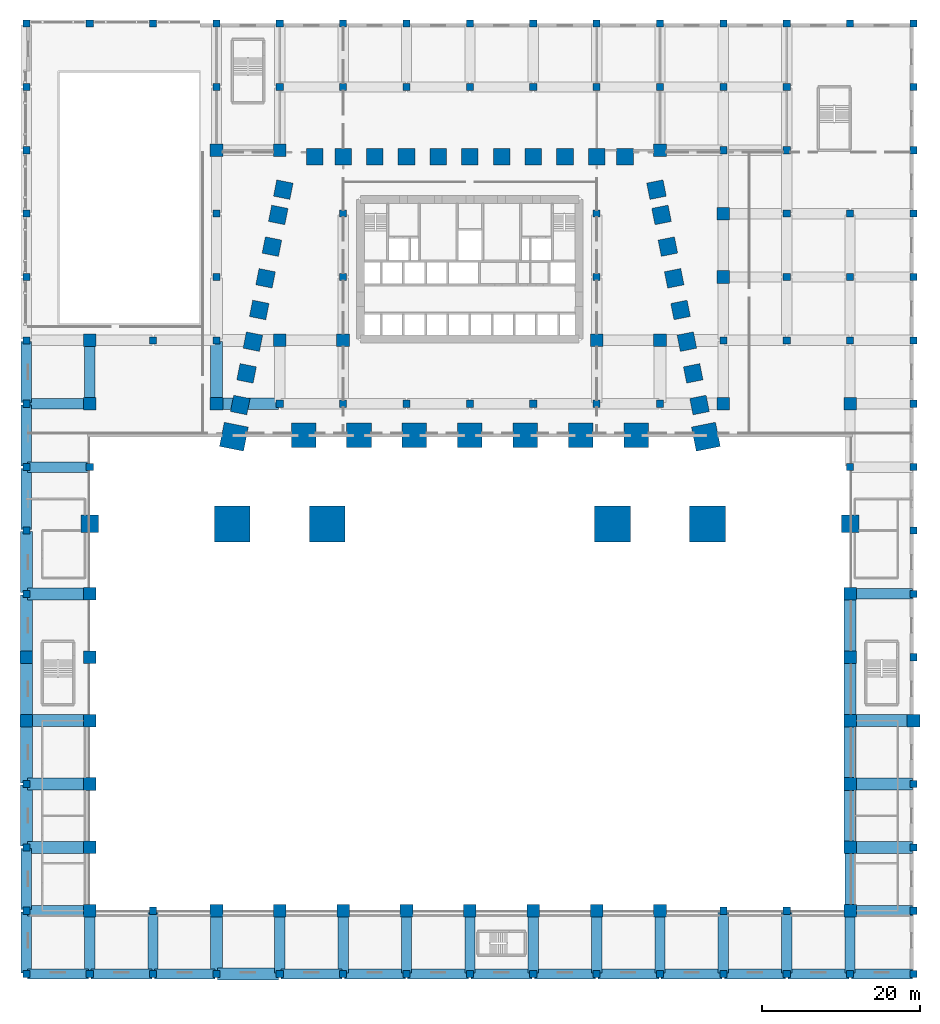
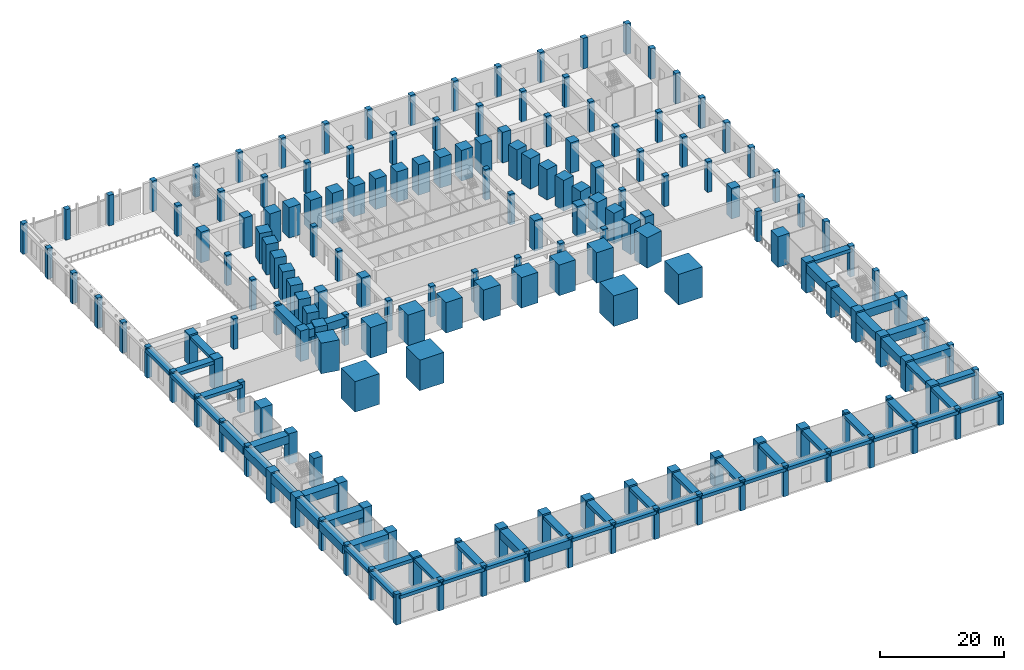
# One storey, part 1 of 25: 173 columns, 57 beams.
"""IFC4 building model written with IfcOpenShell, lengths in metres."""

from ifc_helpers import new_model, si_unit, direction, frame, origin, origin_2d, place, context, subcontext, project, spatial, rectangle, extrude, material, material_profile, profile_set, type_object, element, save


model = new_model("IFC4")

# Units and contexts
model_context = context("Model", 3, precision=1e-05, world=origin(), true_north=direction((0.0, 1.0)))
body_context = subcontext(model_context, "Body", "Model", "MODEL_VIEW")
ifc_project = project(units=[si_unit("LENGTHUNIT", "METRE"), si_unit("AREAUNIT", "SQUARE_METRE"), si_unit("VOLUMEUNIT", "CUBIC_METRE"), si_unit("PLANEANGLEUNIT", "RADIAN"), si_unit("MASSUNIT", "GRAM", prefix="KILO")], contexts=[model_context])

# Site, building, storey
site_placement = place(None, origin())
site = spatial("IfcSite", under=ifc_project, at=site_placement, CompositionType="ELEMENT")
building_placement = place(site_placement, origin())
building = spatial("IfcBuilding", under=site, at=building_placement, Name="Isbrekke Arena Tower", CompositionType="ELEMENT")
storey_placement = place(building_placement, frame((0.0, 0.0, 6.0)))
storey = spatial("IfcBuildingStorey", under=building, at=storey_placement, Name="L01", CompositionType="ELEMENT", Elevation=6.0)

# Columns
ifc_material_1 = material(Name="Concrete B90 (C90/105)", Category="concrete")
ifc_material_profile_1 = material_profile(ifc_material_1, rectangle(XDim=2.10009765625, YDim=2.10009765625, at=origin_2d()), Name="RC 2100x2100")
ifc_profile_set_1 = profile_set([ifc_material_profile_1], Name="Concrete B90 (C90/105)")
column_type_1 = type_object("IfcColumnType", Name="C1 RC 2100 x 2100", PredefinedType="COLUMN", material=ifc_profile_set_1)
for number, where, z_axis, x_axis, name in (
    (1, (28.990966796875, -2.161865234375, 0.0), (0.0, 0.0, 1.0), (-0.196116135138, 0.980580675691, 0.0), "C1 E04"),
    (2, (28.19091796875, 1.838134765625, 0.0), (0.0, 0.0, 1.0), (-0.196116135138, 0.980580675691, 0.0), "C1 E05"),
    (3, (27.39111328125, 5.838134765625, 0.0), (0.0, 0.0, 1.0), (-0.196116135138, 0.980580675691, 0.0), "C1 E06"),
    (4, (26.591064453125, 9.838134765625, 0.0), (0.0, 0.0, 1.0), (-0.196116135138, 0.980580675691, 0.0), "C1 E07"),
    (5, (25.791015625, 13.838134765625, 0.0), (0.0, 0.0, 1.0), (-0.196116135138, 0.980580675691, 0.0), "C1 E08"),
    (6, (24.990966796875, 17.838134765625, 0.0), (0.0, 0.0, 1.0), (-0.196116135138, 0.980580675691, 0.0), "C1 E09"),
    (7, (24.19091796875, 21.838134765625, 0.0), (0.0, 0.0, 1.0), (-0.196116135138, 0.980580675691, 0.0), "C1 E10"),
    (8, (23.552734375, 25.029296875, 0.0), (0.0, 0.0, 1.0), (-0.196116135138, 0.980580675691, 0.0), "C1 E11"),
    (9, (19.574951171875, 29.175048828125, 0.0), (0.0, 0.0, 1.0), (-1.0, 0.0, 0.0), "C1 N01"),
    (10, (16.0, 29.175048828125, 0.0), (0.0, 0.0, 1.0), (-1.0, 0.0, 0.0), "C1 N02"),
    (11, (12.0, 29.175048828125, 0.0), (0.0, 0.0, 1.0), (-1.0, 0.0, 0.0), "C1 N03"),
    (12, (8.0, 29.175048828125, 0.0), (0.0, 0.0, 1.0), (-1.0, 0.0, 0.0), "C1 N04"),
    (13, (4.0, 29.175048828125, 0.0), (0.0, 0.0, 1.0), (-1.0, 0.0, 0.0), "C1 N05"),
    (14, (0.0, 29.175048828125, 0.0), (0.0, 0.0, 1.0), (-1.0, 0.0, 0.0), "C1 N06"),
    (15, (-4.0, 29.175048828125, 0.0), (0.0, 0.0, 1.0), (-1.0, 0.0, 0.0), "C1 N07"),
    (16, (-8.0, 29.175048828125, 0.0), (0.0, 0.0, 1.0), (-1.0, 0.0, 0.0), "C1 N08"),
    (17, (-12.0, 29.175048828125, 0.0), (0.0, 0.0, 1.0), (-1.0, 0.0, 0.0), "C1 N09"),
    (18, (-16.0, 29.175048828125, 0.0), (0.0, 0.0, 1.0), (-1.0, 0.0, 0.0), "C1 N10"),
    (19, (-19.574951171875, 29.175048828125, 0.0), (0.0, 0.0, 1.0), (-1.0, 0.0, 0.0), "C1 N11"),
    (20, (-23.552734375, 25.029296875, 0.0), (0.0, 0.0, 1.0), (-0.196116135138, -0.980580675691, 0.0), "C1 W01"),
    (21, (-24.19091796875, 21.838134765625, 0.0), (0.0, 0.0, 1.0), (-0.196116135138, -0.980580675691, 0.0), "C1 W02"),
    (22, (-24.990966796875, 17.838134765625, 0.0), (0.0, 0.0, 1.0), (-0.196116135138, -0.980580675691, 0.0), "C1 W03"),
    (23, (-25.791015625, 13.838134765625, 0.0), (0.0, 0.0, 1.0), (-0.196116135138, -0.980580675691, 0.0), "C1 W04"),
    (24, (-26.591064453125, 9.838134765625, 0.0), (0.0, 0.0, 1.0), (-0.196116135138, -0.980580675691, 0.0), "C1 W05"),
    (25, (-27.39111328125, 5.838134765625, 0.0), (0.0, 0.0, 1.0), (-0.196116135138, -0.980580675691, 0.0), "C1 W06"),
    (26, (-28.19091796875, 1.838134765625, 0.0), (0.0, 0.0, 1.0), (-0.196116135138, -0.980580675691, 0.0), "C1 W07"),
    (27, (-28.990966796875, -2.161865234375, 0.0), (0.0, 0.0, 1.0), (-0.196116135138, -0.980580675691, 0.0), "C1 W08"),
):
    element("IfcColumn", number, at=place(storey_placement, frame(where, z_axis=z_axis, x_axis=x_axis)), inside=storey, type_object=column_type_1, Name=name, PredefinedType="COLUMN", context=body_context, shape_type="SweptSolid", body=[
        extrude(rectangle(XDim=2.10009765625, YDim=2.10009765625, at=origin_2d()), origin(), (0.0, 0.0, 1.0), 6.0),
    ])
ifc_material_2 = material(Name="Concrete B55 (C55/67)", Category="concrete")
ifc_material_profile_2 = material_profile(ifc_material_2, rectangle(XDim=1.60009765625, YDim=1.60009765625, at=origin_2d()), Name="RC 1600x1600")
ifc_profile_set_2 = profile_set([ifc_material_profile_2], Name="Concrete B55 (C55/67)")
column_type_2 = type_object("IfcColumnType", Name="C15 RC 1600 x 1600", PredefinedType="COLUMN", material=ifc_profile_set_2)
for number, where, z_axis, x_axis, name in (
    (28, (-48.0, -66.0, 0.0), (0.0, 0.0, 1.0), (1.0, 0.0, 0.0), "C15 PB2"),
    (29, (-48.0, -58.0, 0.0), (0.0, 0.0, 1.0), (1.0, 0.0, 0.0), "C15 PC2"),
    (30, (-48.0, -50.0, 0.0), (0.0, 0.0, 1.0), (1.0, 0.0, 0.0), "C15 PD2"),
    (31, (-48.0, -42.0, 0.0), (0.0, 0.0, 1.0), (1.0, 0.0, 0.0), "C15 PE2"),
    (32, (-48.0, -34.0, 0.0), (0.0, 0.0, 1.0), (1.0, 0.0, 0.0), "C15 PF2"),
    (33, (-48.0, -26.0, 0.0), (0.0, 0.0, 1.0), (1.0, 0.0, 0.0), "C15 PG2"),
    (34, (48.0, -66.0, 0.0), (0.0, 0.0, 1.0), (1.0, 0.0, 0.0), "C15 PB14"),
    (35, (48.0, -58.0, 0.0), (0.0, 0.0, 1.0), (1.0, 0.0, 0.0), "C15 PC14"),
    (36, (48.0, -50.0, 0.0), (0.0, 0.0, 1.0), (1.0, 0.0, 0.0), "C15 PD14"),
    (37, (48.0, -42.0, 0.0), (0.0, 0.0, 1.0), (1.0, 0.0, 0.0), "C15 PE14"),
    (38, (48.0, -34.0, 0.0), (0.0, 0.0, 1.0), (1.0, 0.0, 0.0), "C15 PF14"),
    (39, (48.0, -26.0, 0.0), (0.0, 0.0, 1.0), (1.0, 0.0, 0.0), "C15 PG14"),
):
    element("IfcColumn", number, at=place(storey_placement, frame(where, z_axis=z_axis, x_axis=x_axis)), inside=storey, type_object=column_type_2, Name=name, PredefinedType="COLUMN", context=body_context, shape_type="SweptSolid", body=[
        extrude(rectangle(XDim=1.60009765625, YDim=1.60009765625, at=origin_2d()), origin(), (0.0, 0.0, 1.0), 6.0),
    ])
ifc_material_3 = material(Name="Concrete B55 (C55/67)", Category="concrete")
ifc_material_profile_3 = material_profile(ifc_material_3, rectangle(XDim=0.89990234375, YDim=0.89990234375, at=origin_2d()), Name="RC 900x900")
ifc_profile_set_3 = profile_set([ifc_material_profile_3], Name="Concrete B55 (C55/67)")
column_type_3 = type_object("IfcColumnType", Name="C16 RC 900 x 900", PredefinedType="COLUMN", material=ifc_profile_set_3)
for number, where, z_axis, x_axis, name in (
    (40, (-56.0, -74.0, 0.0), (0.0, 0.0, 1.0), (1.0, 0.0, 0.0), "C16 PA1"),
    (41, (-56.0, -66.0, 0.0), (0.0, 0.0, 1.0), (1.0, 0.0, 0.0), "C16 PB1"),
    (42, (-56.0, -58.0, 0.0), (0.0, 0.0, 1.0), (1.0, 0.0, 0.0), "C16 PC1"),
    (43, (-56.0, -50.0, 0.0), (0.0, 0.0, 1.0), (1.0, 0.0, 0.0), "C16 PD1"),
    (44, (-56.0, -26.0, 0.0), (0.0, 0.0, 1.0), (1.0, 0.0, 0.0), "C16 PG1"),
    (45, (-56.0, -18.0, 0.0), (0.0, 0.0, 1.0), (1.0, 0.0, 0.0), "C16 PH1"),
    (46, (-56.0, -10.0, 0.0), (0.0, 0.0, 1.0), (1.0, 0.0, 0.0), "C16 PI1"),
    (47, (-56.0, -2.0, 0.0), (0.0, 0.0, 1.0), (1.0, 0.0, 0.0), "C16 PJ1"),
    (48, (-56.0, 6.0, 0.0), (0.0, 0.0, 1.0), (1.0, 0.0, 0.0), "C16 PK1"),
    (49, (-56.0, 14.0, 0.0), (0.0, 0.0, 1.0), (1.0, 0.0, 0.0), "C16 PL1"),
    (50, (-56.0, 22.0, 0.0), (0.0, 0.0, 1.0), (1.0, 0.0, 0.0), "C16 PM1"),
    (51, (-56.0, 30.0, 0.0), (0.0, 0.0, 1.0), (1.0, 0.0, 0.0), "C16 PN1"),
    (52, (-56.0, 38.0, 0.0), (0.0, 0.0, 1.0), (1.0, 0.0, 0.0), "C16 PO1"),
    (53, (-56.0, 46.0, 0.0), (0.0, 0.0, 1.0), (1.0, 0.0, 0.0), "C16 PP1"),
    (54, (-48.0, -74.0, 0.0), (0.0, 0.0, 1.0), (1.0, 0.0, 0.0), "C16 PA2"),
    (55, (-48.0, -10.0, 0.0), (0.0, 0.0, 1.0), (1.0, 0.0, 0.0), "C16 PI2"),
    (56, (-48.0, 46.0, 0.0), (0.0, 0.0, 1.0), (1.0, 0.0, 0.0), "C16 PP2"),
    (57, (-40.0, -74.0, 0.0), (0.0, 0.0, 1.0), (1.0, 0.0, 0.0), "C16 PA3"),
    (58, (-40.0, -66.0, 0.0), (0.0, 0.0, 1.0), (1.0, 0.0, 0.0), "C16 PB3"),
    (59, (-40.0, 6.0, 0.0), (0.0, 0.0, 1.0), (1.0, 0.0, 0.0), "C16 PK3"),
    (60, (-40.0, 46.0, 0.0), (0.0, 0.0, 1.0), (1.0, 0.0, 0.0), "C16 PP3"),
    (61, (-32.0, -74.0, 0.0), (0.0, 0.0, 1.0), (1.0, 0.0, 0.0), "C16 PA4"),
    (62, (-32.0, 6.0, 0.0), (0.0, 0.0, 1.0), (1.0, 0.0, 0.0), "C16 PK4"),
    (63, (-32.0, 14.0, 0.0), (0.0, 0.0, 1.0), (1.0, 0.0, 0.0), "C16 PL4"),
    (64, (-32.0, 22.0, 0.0), (0.0, 0.0, 1.0), (1.0, 0.0, 0.0), "C16 PM4"),
    (65, (-32.0, 38.0, 0.0), (0.0, 0.0, 1.0), (1.0, 0.0, 0.0), "C16 PO4"),
    (66, (-32.0, 46.0, 0.0), (0.0, 0.0, 1.0), (1.0, 0.0, 0.0), "C16 PP4"),
    (67, (-24.0, -74.0, 0.0), (0.0, 0.0, 1.0), (1.0, 0.0, 0.0), "C16 PA5"),
    (68, (-24.0, -2.0, 0.0), (0.0, 0.0, 1.0), (1.0, 0.0, 0.0), "C16 PJ5"),
    (69, (-24.0, 38.0, 0.0), (0.0, 0.0, 1.0), (1.0, 0.0, 0.0), "C16 PO5"),
    (70, (-24.0, 46.0, 0.0), (0.0, 0.0, 1.0), (1.0, 0.0, 0.0), "C16 PP5"),
    (71, (-16.0, -74.0, 0.0), (0.0, 0.0, 1.0), (1.0, 0.0, 0.0), "C16 PA6"),
    (72, (-16.0, -2.0, 0.0), (0.0, 0.0, 1.0), (1.0, 0.0, 0.0), "C16 PJ6"),
    (73, (-16.0, 14.0, 0.0), (0.0, 0.0, 1.0), (1.0, 0.0, 0.0), "C16 PL6"),
    (74, (-16.0, 22.0, 0.0), (0.0, 0.0, 1.0), (1.0, 0.0, 0.0), "C16 PM6"),
    (75, (-16.0, 38.0, 0.0), (0.0, 0.0, 1.0), (1.0, 0.0, 0.0), "C16 PO6"),
    (76, (-16.0, 46.0, 0.0), (0.0, 0.0, 1.0), (1.0, 0.0, 0.0), "C16 PP6"),
    (77, (-8.0, -74.0, 0.0), (0.0, 0.0, 1.0), (1.0, 0.0, 0.0), "C16 PA7"),
    (78, (-8.0, -2.0, 0.0), (0.0, 0.0, 1.0), (1.0, 0.0, 0.0), "C16 PJ7"),
    (79, (-8.0, 38.0, 0.0), (0.0, 0.0, 1.0), (1.0, 0.0, 0.0), "C16 PO7"),
    (80, (-8.0, 46.0, 0.0), (0.0, 0.0, 1.0), (1.0, 0.0, 0.0), "C16 PP7"),
    (81, (0.0, -74.0, 0.0), (0.0, 0.0, 1.0), (1.0, 0.0, 0.0), "C16 PA8"),
    (82, (0.0, -2.0, 0.0), (0.0, 0.0, 1.0), (1.0, 0.0, 0.0), "C16 PJ8"),
    (83, (0.0, 38.0, 0.0), (0.0, 0.0, 1.0), (1.0, 0.0, 0.0), "C16 PO8"),
    (84, (0.0, 46.0, 0.0), (0.0, 0.0, 1.0), (1.0, 0.0, 0.0), "C16 PP8"),
    (85, (8.0, -74.0, 0.0), (0.0, 0.0, 1.0), (1.0, 0.0, 0.0), "C16 PA9"),
    (86, (8.0, -2.0, 0.0), (0.0, 0.0, 1.0), (1.0, 0.0, 0.0), "C16 PJ9"),
    (87, (8.0, 38.0, 0.0), (0.0, 0.0, 1.0), (1.0, 0.0, 0.0), "C16 PO9"),
    (88, (8.0, 46.0, 0.0), (0.0, 0.0, 1.0), (1.0, 0.0, 0.0), "C16 PP9"),
    (89, (16.0, -74.0, 0.0), (0.0, 0.0, 1.0), (1.0, 0.0, 0.0), "C16 PA10"),
    (90, (16.0, -2.0, 0.0), (0.0, 0.0, 1.0), (1.0, 0.0, 0.0), "C16 PJ10"),
    (91, (16.0, 14.0, 0.0), (0.0, 0.0, 1.0), (1.0, 0.0, 0.0), "C16 PL10"),
    (92, (16.0, 22.0, 0.0), (0.0, 0.0, 1.0), (1.0, 0.0, 0.0), "C16 PM10"),
    (93, (16.0, 38.0, 0.0), (0.0, 0.0, 1.0), (1.0, 0.0, 0.0), "C16 PO10"),
    (94, (16.0, 46.0, 0.0), (0.0, 0.0, 1.0), (1.0, 0.0, 0.0), "C16 PP10"),
    (95, (24.0, -74.0, 0.0), (0.0, 0.0, 1.0), (1.0, 0.0, 0.0), "C16 PA11"),
    (96, (24.0, -2.0, 0.0), (0.0, 0.0, 1.0), (1.0, 0.0, 0.0), "C16 PJ11"),
    (97, (24.0, 38.0, 0.0), (0.0, 0.0, 1.0), (1.0, 0.0, 0.0), "C16 PO11"),
    (98, (24.0, 46.0, 0.0), (0.0, 0.0, 1.0), (1.0, 0.0, 0.0), "C16 PP11"),
    (99, (32.0, -74.0, 0.0), (0.0, 0.0, 1.0), (1.0, 0.0, 0.0), "C16 PA12"),
    (100, (32.0, -66.0, 0.0), (0.0, 0.0, 1.0), (1.0, 0.0, 0.0), "C16 PB12"),
    (101, (32.0, 6.0, 0.0), (0.0, 0.0, 1.0), (1.0, 0.0, 0.0), "C16 PK12"),
    (102, (32.0, 30.0, 0.0), (0.0, 0.0, 1.0), (1.0, 0.0, 0.0), "C16 PN12"),
    (103, (32.0, 38.0, 0.0), (0.0, 0.0, 1.0), (1.0, 0.0, 0.0), "C16 PO12"),
    (104, (32.0, 46.0, 0.0), (0.0, 0.0, 1.0), (1.0, 0.0, 0.0), "C16 PP12"),
    (105, (40.0, -74.0, 0.0), (0.0, 0.0, 1.0), (1.0, 0.0, 0.0), "C16 PA13"),
    (106, (40.0, -66.0, 0.0), (0.0, 0.0, 1.0), (1.0, 0.0, 0.0), "C16 PB13"),
    (107, (40.0, 6.0, 0.0), (0.0, 0.0, 1.0), (1.0, 0.0, 0.0), "C16 PK13"),
    (108, (40.0, 14.0, 0.0), (0.0, 0.0, 1.0), (1.0, 0.0, 0.0), "C16 PL13"),
    (109, (40.0, 22.0, 0.0), (0.0, 0.0, 1.0), (1.0, 0.0, 0.0), "C16 PM13"),
    (110, (40.0, 30.0, 0.0), (0.0, 0.0, 1.0), (1.0, 0.0, 0.0), "C16 PN13"),
    (111, (40.0, 38.0, 0.0), (0.0, 0.0, 1.0), (1.0, 0.0, 0.0), "C16 PO13"),
    (112, (40.0, 46.0, 0.0), (0.0, 0.0, 1.0), (1.0, 0.0, 0.0), "C16 PP13"),
    (113, (48.0, -74.0, 0.0), (0.0, 0.0, 1.0), (1.0, 0.0, 0.0), "C16 PA14"),
    (114, (48.0, -10.0, 0.0), (0.0, 0.0, 1.0), (1.0, 0.0, 0.0), "C16 PI14"),
    (115, (48.0, 6.0, 0.0), (0.0, 0.0, 1.0), (1.0, 0.0, 0.0), "C16 PK14"),
    (116, (48.0, 14.0, 0.0), (0.0, 0.0, 1.0), (1.0, 0.0, 0.0), "C16 PL14"),
    (117, (48.0, 22.0, 0.0), (0.0, 0.0, 1.0), (1.0, 0.0, 0.0), "C16 PM14"),
    (118, (48.0, 46.0, 0.0), (0.0, 0.0, 1.0), (1.0, 0.0, 0.0), "C16 PP14"),
    (119, (56.0, -74.0, 0.0), (0.0, 0.0, 1.0), (1.0, 0.0, 0.0), "C16 PA15"),
    (120, (56.0, -66.0, 0.0), (0.0, 0.0, 1.0), (1.0, 0.0, 0.0), "C16 PB15"),
    (121, (56.0, -58.0, 0.0), (0.0, 0.0, 1.0), (1.0, 0.0, 0.0), "C16 PC15"),
    (122, (56.0, -50.0, 0.0), (0.0, 0.0, 1.0), (1.0, 0.0, 0.0), "C16 PD15"),
    (123, (56.0, -34.0, 0.0), (0.0, 0.0, 1.0), (1.0, 0.0, 0.0), "C16 PF15"),
    (124, (56.0, -26.0, 0.0), (0.0, 0.0, 1.0), (1.0, 0.0, 0.0), "C16 PG15"),
    (125, (56.0, -18.0, 0.0), (0.0, 0.0, 1.0), (1.0, 0.0, 0.0), "C16 PH15"),
    (126, (56.0, -10.0, 0.0), (0.0, 0.0, 1.0), (1.0, 0.0, 0.0), "C16 PI15"),
    (127, (56.0, -2.0, 0.0), (0.0, 0.0, 1.0), (1.0, 0.0, 0.0), "C16 PJ15"),
    (128, (56.0, 6.0, 0.0), (0.0, 0.0, 1.0), (1.0, 0.0, 0.0), "C16 PK15"),
    (129, (56.0, 14.0, 0.0), (0.0, 0.0, 1.0), (1.0, 0.0, 0.0), "C16 PL15"),
    (130, (56.0, 22.0, 0.0), (0.0, 0.0, 1.0), (1.0, 0.0, 0.0), "C16 PM15"),
    (131, (56.0, 30.0, 0.0), (0.0, 0.0, 1.0), (1.0, 0.0, 0.0), "C16 PN15"),
    (132, (56.0, 38.0, 0.0), (0.0, 0.0, 1.0), (1.0, 0.0, 0.0), "C16 PO15"),
    (133, (56.0, 46.0, 0.0), (0.0, 0.0, 1.0), (1.0, 0.0, 0.0), "C16 PP15"),
):
    element("IfcColumn", number, at=place(storey_placement, frame(where, z_axis=z_axis, x_axis=x_axis)), inside=storey, type_object=column_type_3, Name=name, PredefinedType="COLUMN", context=body_context, shape_type="SweptSolid", body=[
        extrude(rectangle(XDim=0.89990234375, YDim=0.89990234375, at=origin_2d()), origin(), (0.0, 0.0, 1.0), 6.0),
    ])
ifc_material_4 = material(Name="Concrete B90 (C90/105)", Category="concrete")
ifc_material_profile_4 = material_profile(ifc_material_4, rectangle(XDim=3.10009765625, YDim=3.10009765625, at=origin_2d()), Name="RC 3100x3100")
ifc_profile_set_4 = profile_set([ifc_material_profile_4], Name="Concrete B90 (C90/105)")
column_type_4 = type_object("IfcColumnType", Name="C17 RC 3100 x 3100", PredefinedType="COLUMN", material=ifc_profile_set_4)
for number, where, z_axis, x_axis, name in (
    (134, (29.791015625, -6.161865234375, 0.0), (0.0, 0.0, 1.0), (-0.196116135138, 0.980580675691, 0.0), "C17 E03"),
    (135, (-29.791015625, -6.161865234375, 0.0), (0.0, 0.0, 1.0), (-0.196116135138, -0.980580675691, 0.0), "C17 W09"),
    (136, (-21.0, -6.0, 0.0), (0.0, 0.0, 1.0), (1.0, 0.0, 0.0), "C17 I01"),
    (137, (-14.0, -6.0, 0.0), (0.0, 0.0, 1.0), (1.0, 0.0, 0.0), "C17 I02"),
    (138, (-7.0, -6.0, 0.0), (0.0, 0.0, 1.0), (1.0, 0.0, 0.0), "C17 I03"),
    (139, (0.0, -6.0, 0.0), (0.0, 0.0, 1.0), (1.0, 0.0, 0.0), "C17 I04"),
    (140, (7.0, -6.0, 0.0), (0.0, 0.0, 1.0), (1.0, 0.0, 0.0), "C17 I05"),
    (141, (14.0, -6.0, 0.0), (0.0, 0.0, 1.0), (1.0, 0.0, 0.0), "C17 I06"),
    (142, (21.0, -6.0, 0.0), (0.0, 0.0, 1.0), (1.0, 0.0, 0.0), "C17 I07"),
):
    element("IfcColumn", number, at=place(storey_placement, frame(where, z_axis=z_axis, x_axis=x_axis)), inside=storey, type_object=column_type_4, Name=name, PredefinedType="COLUMN", context=body_context, shape_type="SweptSolid", body=[
        extrude(rectangle(XDim=3.10009765625, YDim=3.10009765625, at=origin_2d()), origin(), (0.0, 0.0, 1.0), 6.0),
    ])
ifc_material_5 = material(Name="Concrete B55 (C55/67)", Category="concrete")
ifc_material_profile_5 = material_profile(ifc_material_5, rectangle(XDim=1.60009765625, YDim=1.60009765625, at=origin_2d()), Name="RC 1600x1600")
ifc_profile_set_5 = profile_set([ifc_material_profile_5], Name="Concrete B55 (C55/67)")
column_type_5 = type_object("IfcColumnType", Name="C18 RC 1600 x 1600", PredefinedType="COLUMN", material=ifc_profile_set_5)
for number, where, z_axis, x_axis, name in (
    (143, (-56.0, -42.0, 0.0), (0.0, 0.0, 1.0), (1.0, 0.0, 0.0), "C18 PE1"),
    (144, (-56.0, -34.0, 0.0), (0.0, 0.0, 1.0), (1.0, 0.0, 0.0), "C18 PF1"),
    (145, (-48.0, -2.0, 0.0), (0.0, 0.0, 1.0), (1.0, 0.0, 0.0), "C18 PJ2"),
    (146, (-48.0, 6.0, 0.0), (0.0, 0.0, 1.0), (1.0, 0.0, 0.0), "C18 PK2"),
    (147, (-32.0, -66.0, 0.0), (0.0, 0.0, 1.0), (1.0, 0.0, 0.0), "C18 PB4"),
    (148, (-32.0, -2.0, 0.0), (0.0, 0.0, 1.0), (1.0, 0.0, 0.0), "C18 PJ4"),
    (149, (-32.0, 30.0, 0.0), (0.0, 0.0, 1.0), (1.0, 0.0, 0.0), "C18 PN4"),
    (150, (-24.0, -66.0, 0.0), (0.0, 0.0, 1.0), (1.0, 0.0, 0.0), "C18 PB5"),
    (151, (-24.0, 6.0, 0.0), (0.0, 0.0, 1.0), (1.0, 0.0, 0.0), "C18 PK5"),
    (152, (-24.0, 30.0, 0.0), (0.0, 0.0, 1.0), (1.0, 0.0, 0.0), "C18 PN5"),
    (153, (-16.0, -66.0, 0.0), (0.0, 0.0, 1.0), (1.0, 0.0, 0.0), "C18 PB6"),
    (154, (-16.030029296875, 6.0, 0.0), (0.0, 0.0, 1.0), (1.0, 0.0, 0.0), "C18 PK6"),
    (155, (-8.0, -66.0, 0.0), (0.0, 0.0, 1.0), (1.0, 0.0, 0.0), "C18 PB7"),
    (156, (0.0, -66.0, 0.0), (0.0, 0.0, 1.0), (1.0, 0.0, 0.0), "C18 PB8"),
    (157, (8.0, -66.0, 0.0), (0.0, 0.0, 1.0), (1.0, 0.0, 0.0), "C18 PB9"),
    (158, (16.0, -66.0, 0.0), (0.0, 0.0, 1.0), (1.0, 0.0, 0.0), "C18 PB10"),
    (159, (16.030029296875, 6.0, 0.0), (0.0, 0.0, 1.0), (1.0, 0.0, 0.0), "C18 PK10"),
    (160, (24.0, -66.0, 0.0), (0.0, 0.0, 1.0), (1.0, 0.0, 0.0), "C18 PB11"),
    (161, (24.0, 6.0, 0.0), (0.0, 0.0, 1.0), (1.0, 0.0, 0.0), "C18 PK11"),
    (162, (24.0, 30.0, 0.0), (0.0, 0.0, 1.0), (1.0, 0.0, 0.0), "C18 PN11"),
    (163, (32.0, -2.0, 0.0), (0.0, 0.0, 1.0), (1.0, 0.0, 0.0), "C18 PJ12"),
    (164, (32.0, 14.0, 0.0), (0.0, 0.0, 1.0), (1.0, 0.0, 0.0), "C18 PL12"),
    (165, (32.0, 22.0, 0.0), (0.0, 0.0, 1.0), (1.0, 0.0, 0.0), "C18 PM12"),
    (166, (48.0, -2.0, 0.0), (0.0, 0.0, 1.0), (1.0, 0.0, 0.0), "C18 PJ14"),
    (167, (56.0, -42.0, 0.0), (0.0, 0.0, 1.0), (1.0, 0.0, 0.0), "C18 PE15"),
):
    element("IfcColumn", number, at=place(storey_placement, frame(where, z_axis=z_axis, x_axis=x_axis)), inside=storey, type_object=column_type_5, Name=name, PredefinedType="COLUMN", context=body_context, shape_type="SweptSolid", body=[
        extrude(rectangle(XDim=1.60009765625, YDim=1.60009765625, at=origin_2d()), origin(), (0.0, 0.0, 1.0), 6.0),
    ])
ifc_material_6 = material(Name="Concrete B65 (C65/80)", Category="concrete")
ifc_material_profile_6 = material_profile(ifc_material_6, rectangle(XDim=2.199951171875, YDim=2.199951171875, at=origin_2d()), Name="RC 2200x2200")
ifc_profile_set_6 = profile_set([ifc_material_profile_6], Name="Concrete B65 (C65/80)")
column_type_6 = type_object("IfcColumnType", Name="MC1 RC 2200 x 2200", PredefinedType="COLUMN", material=ifc_profile_set_6)
for number, where, z_axis, x_axis, name in (
    (168, (-48.0, -17.175048828125, 0.0), (0.0, 0.0, 1.0), (1.0, 0.0, 0.0), "MC1 mega column MCW"),
    (169, (48.0, -17.175048828125, 0.0), (0.0, 0.0, 1.0), (1.0, 0.0, 0.0), "MC1 mega column MCE"),
):
    element("IfcColumn", number, at=place(storey_placement, frame(where, z_axis=z_axis, x_axis=x_axis)), inside=storey, type_object=column_type_6, Name=name, PredefinedType="COLUMN", context=body_context, shape_type="SweptSolid", body=[
        extrude(rectangle(XDim=2.199951171875, YDim=2.199951171875, at=origin_2d()), origin(), (0.0, 0.0, 1.0), 6.0),
    ])
ifc_material_7 = material(Name="Concrete B90 (C90/105)", Category="concrete")
ifc_material_profile_7 = material_profile(ifc_material_7, rectangle(XDim=4.5, YDim=4.5, at=origin_2d()), Name="RC 4500x4500")
ifc_profile_set_7 = profile_set([ifc_material_profile_7], Name="Concrete B90 (C90/105)")
column_type_7 = type_object("IfcColumnType", Name="MC2 RC 4500 x 4500", PredefinedType="COLUMN", material=ifc_profile_set_7)
for number, where, z_axis, x_axis, name in (
    (170, (-30.0, -17.175048828125, 0.0), (0.0, 0.0, 1.0), (1.0, 0.0, 0.0), "MC2 mega column SFW30"),
    (171, (-18.0, -17.175048828125, 0.0), (0.0, 0.0, 1.0), (1.0, 0.0, 0.0), "MC2 mega column SFW18"),
    (172, (18.0, -17.175048828125, 0.0), (0.0, 0.0, 1.0), (1.0, 0.0, 0.0), "MC2 mega column SFE18"),
    (173, (30.0, -17.175048828125, 0.0), (0.0, 0.0, 1.0), (1.0, 0.0, 0.0), "MC2 mega column SFE30"),
):
    element("IfcColumn", number, at=place(storey_placement, frame(where, z_axis=z_axis, x_axis=x_axis)), inside=storey, type_object=column_type_7, Name=name, PredefinedType="COLUMN", context=body_context, shape_type="SweptSolid", body=[
        extrude(rectangle(XDim=4.5, YDim=4.5, at=origin_2d()), origin(), (0.0, 0.0, 1.0), 6.0),
    ])

# Beams
ifc_material_8 = material(Name="Concrete B45 (C45/55)", Category="concrete")
ifc_material_profile_8 = material_profile(ifc_material_8, rectangle(XDim=1.300048828125, YDim=0.64990234375, at=origin_2d()), Name="RC 1300x650")
ifc_profile_set_8 = profile_set([ifc_material_profile_8], Name="Concrete B45 (C45/55)")
beam_type_1 = type_object("IfcBeamType", Name="PB1 RC 1300 x 650", PredefinedType="BEAM", material=ifc_profile_set_8)
for number, where, z_axis, x_axis, name in (
    (174, (-55.85009765625, -74.0, 5.375), (1.0, 0.0, 0.0), (0.0, 1.0, 0.0), "PB1 podium beam A1 L02"),
    (175, (-56.0, -73.85009765625, 5.375), (0.0, 1.0, 0.0), (-1.0, 0.0, 0.0), "PB1 podium beam A1 L02"),
    (176, (-47.85009765625, -74.0, 5.375), (1.0, 0.0, 0.0), (0.0, 1.0, 0.0), "PB1 podium beam A2 L02"),
    (177, (-48.0, -73.85009765625, 5.375), (0.0, 1.0, 0.0), (-1.0, 0.0, 0.0), "PB1 podium beam A2 L02"),
    (178, (-39.85009765625, -74.0, 5.375), (1.0, 0.0, 0.0), (0.0, 1.0, 0.0), "PB1 podium beam A3 L02"),
    (179, (-40.0, -73.85009765625, 5.375), (0.0, 1.0, 0.0), (-1.0, 0.0, 0.0), "PB1 podium beam A3 L02"),
    (180, (-23.85009765625, -74.0, 5.375), (1.0, 0.0, 0.0), (0.0, 1.0, 0.0), "PB1 podium beam A5 L02"),
    (181, (-24.0, -73.85009765625, 5.375), (0.0, 1.0, 0.0), (-1.0, 0.0, 0.0), "PB1 podium beam A5 L02"),
    (182, (-15.85009765625, -74.0, 5.375), (1.0, 0.0, 0.0), (0.0, 1.0, 0.0), "PB1 podium beam A6 L02"),
    (183, (-16.0, -73.85009765625, 5.375), (0.0, 1.0, 0.0), (-1.0, 0.0, 0.0), "PB1 podium beam A6 L02"),
    (184, (-7.85009765625, -74.0, 5.375), (1.0, 0.0, 0.0), (0.0, 1.0, 0.0), "PB1 podium beam A7 L02"),
    (185, (-8.0, -73.85009765625, 5.375), (0.0, 1.0, 0.0), (-1.0, 0.0, 0.0), "PB1 podium beam A7 L02"),
    (186, (0.14990234375, -74.0, 5.375), (1.0, 0.0, 0.0), (0.0, 1.0, 0.0), "PB1 podium beam A8 L02"),
    (187, (0.0, -73.85009765625, 5.375), (0.0, 1.0, 0.0), (-1.0, 0.0, 0.0), "PB1 podium beam A8 L02"),
    (188, (8.14990234375, -74.0, 5.375), (1.0, 0.0, 0.0), (0.0, 1.0, 0.0), "PB1 podium beam A9 L02"),
    (189, (8.0, -73.85009765625, 5.375), (0.0, 1.0, 0.0), (-1.0, 0.0, 0.0), "PB1 podium beam A9 L02"),
    (190, (16.14990234375, -74.0, 5.375), (1.0, 0.0, 0.0), (0.0, 1.0, 0.0), "PB1 podium beam A10 L02"),
    (191, (16.0, -73.85009765625, 5.375), (0.0, 1.0, 0.0), (-1.0, 0.0, 0.0), "PB1 podium beam A10 L02"),
    (192, (24.14990234375, -74.0, 5.375), (1.0, 0.0, 0.0), (0.0, 1.0, 0.0), "PB1 podium beam A11 L02"),
    (193, (24.0, -73.85009765625, 5.375), (0.0, 1.0, 0.0), (-1.0, 0.0, 0.0), "PB1 podium beam A11 L02"),
    (194, (32.14990234375, -74.0, 5.375), (1.0, 0.0, 0.0), (0.0, 1.0, 0.0), "PB1 podium beam A12 L02"),
    (195, (32.0, -73.85009765625, 5.375), (0.0, 1.0, 0.0), (-1.0, 0.0, 0.0), "PB1 podium beam A12 L02"),
    (196, (40.14990234375, -74.0, 5.375), (1.0, 0.0, 0.0), (0.0, 1.0, 0.0), "PB1 podium beam A13 L02"),
    (197, (40.0, -73.85009765625, 5.375), (0.0, 1.0, 0.0), (-1.0, 0.0, 0.0), "PB1 podium beam A13 L02"),
    (198, (48.14990234375, -74.0, 5.375), (1.0, 0.0, 0.0), (0.0, 1.0, 0.0), "PB1 podium beam A14 L02"),
    (199, (48.0, -73.85009765625, 5.375), (0.0, 1.0, 0.0), (-1.0, 0.0, 0.0), "PB1 podium beam A14 L02"),
    (200, (-55.85009765625, -66.0, 5.375), (1.0, 0.0, 0.0), (0.0, 1.0, 0.0), "PB1 podium beam B1 L02"),
    (201, (-56.0, -65.85009765625, 5.375), (0.0, 1.0, 0.0), (-1.0, 0.0, 0.0), "PB1 podium beam B1 L02"),
    (202, (48.14990234375, -66.0, 5.375), (1.0, 0.0, 0.0), (0.0, 1.0, 0.0), "PB1 podium beam B14 L02"),
    (203, (48.0, -65.85009765625, 5.375), (0.0, 1.0, 0.0), (-1.0, 0.0, 0.0), "PB1 podium beam B14 L02"),
    (204, (48.14990234375, -26.0, 5.375), (1.0, 0.0, 0.0), (0.0, 1.0, 0.0), "PB1 podium beam G14 L02"),
    (205, (-56.0, -17.85009765625, 5.375), (0.0, 1.0, 0.0), (-1.0, 0.0, 0.0), "PB1 podium beam H1 L02"),
    (206, (-55.85009765625, -10.0, 5.375), (1.0, 0.0, 0.0), (0.0, 1.0, 0.0), "PB1 podium beam I1 L02"),
    (207, (-56.0, -9.85009765625, 5.375), (0.0, 1.0, 0.0), (-1.0, 0.0, 0.0), "PB1 podium beam I1 L02"),
    (208, (-55.85009765625, -2.0, 5.375), (1.0, 0.0, 0.0), (0.0, 1.0, 0.0), "PB1 podium beam J1 L02"),
    (209, (-56.0, -1.85009765625, 5.375), (0.0, 1.0, 0.0), (-1.0, 0.0, 0.0), "PB1 podium beam J1 L02"),
    (210, (-48.0, -1.85009765625, 5.375), (0.0, 1.0, 0.0), (-1.0, 0.0, 0.0), "PB1 podium beam J2 L02"),
):
    element("IfcBeam", number, at=place(storey_placement, frame(where, z_axis=z_axis, x_axis=x_axis)), inside=storey, type_object=beam_type_1, Name=name, PredefinedType="BEAM", context=body_context, shape_type="SweptSolid", body=[
        extrude(rectangle(XDim=1.300048828125, YDim=0.64990234375, at=origin_2d()), origin(), (0.0, 0.0, 1.0), 7.7001953125),
    ])
ifc_material_9 = material(Name="Concrete B45 (C45/55)", Category="concrete")
ifc_material_profile_9 = material_profile(ifc_material_9, rectangle(XDim=1.5, YDim=1.60009765625, at=origin_2d()), Name="RC 1500x1600")
ifc_profile_set_9 = profile_set([ifc_material_profile_9], Name="Concrete B45 (C45/55)")
beam_type_2 = type_object("IfcBeamType", Name="PB2 RC 1500 x 1600", PredefinedType="BEAM", material=ifc_profile_set_9)
for number, where, z_axis, x_axis, name in (
    (211, (-31.85009765625, -74.0, 4.89990234375), (1.0, 0.0, 0.0), (0.0, 1.0, 0.0), "PB2 podium beam A4 L02"),
    (212, (-32.0, -73.85009765625, 4.89990234375), (0.0, 1.0, 0.0), (-1.0, 0.0, 0.0), "PB2 podium beam A4 L02"),
    (213, (-55.85009765625, -58.0, 4.89990234375), (1.0, 0.0, 0.0), (0.0, 1.0, 0.0), "PB2 podium beam C1 L02"),
    (214, (-56.0, -57.85009765625, 4.89990234375), (0.0, 1.0, 0.0), (-1.0, 0.0, 0.0), "PB2 podium beam C1 L02"),
    (215, (48.14990234375, -58.0, 4.89990234375), (1.0, 0.0, 0.0), (0.0, 1.0, 0.0), "PB2 podium beam C14 L02"),
    (216, (48.0, -57.85009765625, 4.89990234375), (0.0, 1.0, 0.0), (-1.0, 0.0, 0.0), "PB2 podium beam C14 L02"),
    (217, (-55.85009765625, -50.0, 4.89990234375), (1.0, 0.0, 0.0), (0.0, 1.0, 0.0), "PB2 podium beam D1 L02"),
    (218, (-56.0, -49.85009765625, 4.89990234375), (0.0, 1.0, 0.0), (-1.0, 0.0, 0.0), "PB2 podium beam D1 L02"),
    (219, (48.14990234375, -50.0, 4.89990234375), (1.0, 0.0, 0.0), (0.0, 1.0, 0.0), "PB2 podium beam D14 L02"),
    (220, (48.0, -49.85009765625, 4.89990234375), (0.0, 1.0, 0.0), (-1.0, 0.0, 0.0), "PB2 podium beam D14 L02"),
    (221, (-55.85009765625, -42.0, 4.89990234375), (1.0, 0.0, 0.0), (0.0, 1.0, 0.0), "PB2 podium beam E1 L02"),
    (222, (-56.0, -41.85009765625, 4.89990234375), (0.0, 1.0, 0.0), (-1.0, 0.0, 0.0), "PB2 podium beam E1 L02"),
    (223, (48.14990234375, -42.0, 4.89990234375), (1.0, 0.0, 0.0), (0.0, 1.0, 0.0), "PB2 podium beam E14 L02"),
    (224, (48.0, -41.85009765625, 4.89990234375), (0.0, 1.0, 0.0), (-1.0, 0.0, 0.0), "PB2 podium beam E14 L02"),
    (225, (-56.0, -33.85009765625, 4.89990234375), (0.0, 1.0, 0.0), (-1.0, 0.0, 0.0), "PB2 podium beam F1 L02"),
    (226, (48.0, -33.85009765625, 4.89990234375), (0.0, 1.0, 0.0), (-1.0, 0.0, 0.0), "PB2 podium beam F14 L02"),
    (227, (-55.85009765625, -26.0, 4.89990234375), (1.0, 0.0, 0.0), (0.0, 1.0, 0.0), "PB2 podium beam G1 L02"),
    (228, (-56.0, -25.85009765625, 4.89990234375), (0.0, 1.0, 0.0), (-1.0, 0.0, 0.0), "PB2 podium beam G1 L02"),
    (229, (-31.85009765625, -2.0, 4.89990234375), (1.0, 0.0, 0.0), (0.0, 1.0, 0.0), "PB2 podium beam J4 L02"),
    (230, (-32.0, -1.85009765625, 4.89990234375), (0.0, 1.0, 0.0), (-1.0, 0.0, 0.0), "PB2 podium beam J4 L02"),
):
    element("IfcBeam", number, at=place(storey_placement, frame(where, z_axis=z_axis, x_axis=x_axis)), inside=storey, type_object=beam_type_2, Name=name, PredefinedType="BEAM", context=body_context, shape_type="SweptSolid", body=[
        extrude(rectangle(XDim=1.5, YDim=1.60009765625, at=origin_2d()), origin(), (0.0, 0.0, 1.0), 7.7001953125),
    ])

save(model, "model.ifc")
